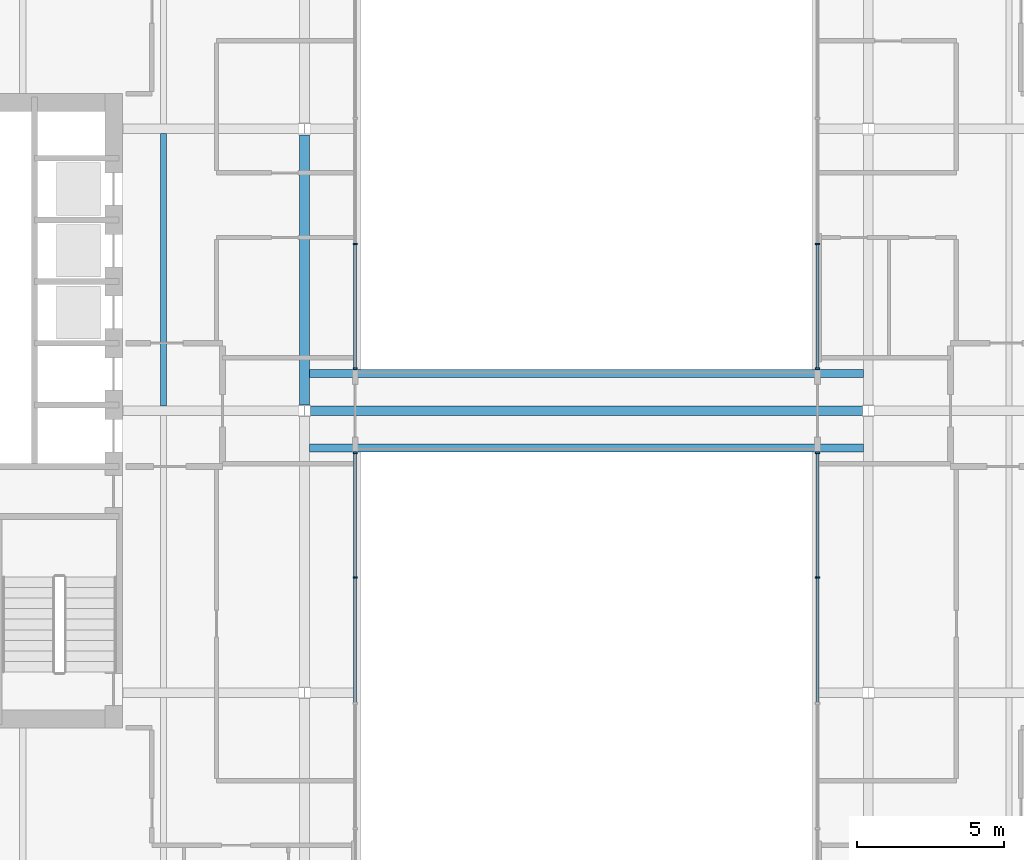
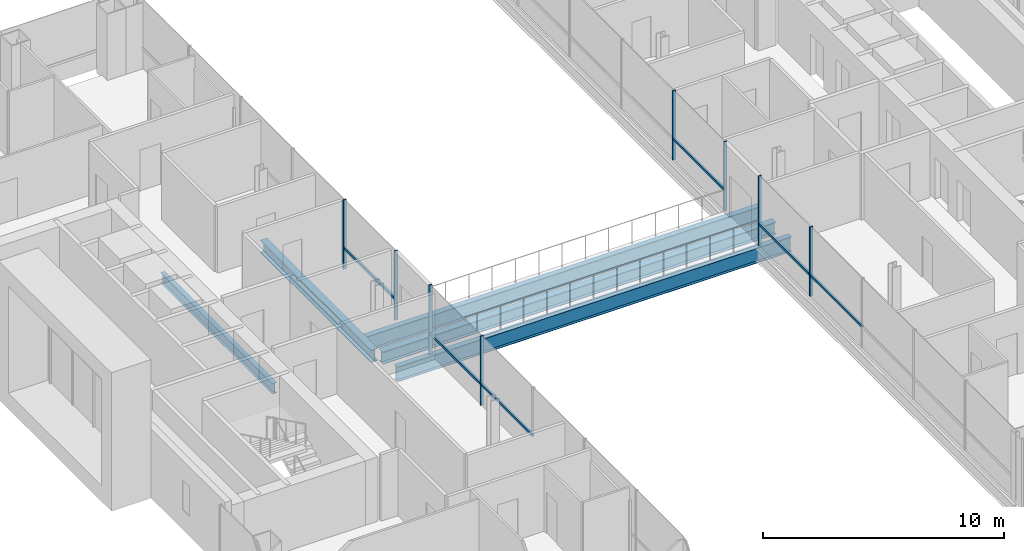
# One storey, part 4 of 20: 14 members, 5 beams, 4 elements without a shape of their own.
"""IFC4 building model written with IfcOpenShell, lengths in metres."""

from ifc_helpers import new_model, si_unit, direction, frame, origin, origin_2d, place, context, subcontext, project, spatial, rectangle, i_section, extrude, material, material_profile, profile_set, type_object, element, aggregate, save


model = new_model("IFC4")

# Units and contexts
model_context = context("Model", 3, precision=1e-05, world=origin(), true_north=direction((0.0, 1.0)))
body_context = subcontext(model_context, "Body", "Model", "MODEL_VIEW")
ifc_project = project(units=[si_unit("LENGTHUNIT", "METRE"), si_unit("AREAUNIT", "SQUARE_METRE"), si_unit("VOLUMEUNIT", "CUBIC_METRE"), si_unit("PLANEANGLEUNIT", "RADIAN"), si_unit("MASSUNIT", "GRAM", prefix="KILO")], contexts=[model_context])

# Site, building, storey
site_placement = place(None, origin())
site = spatial("IfcSite", under=ifc_project, at=site_placement, CompositionType="ELEMENT")
building_placement = place(site_placement, origin())
building = spatial("IfcBuilding", under=site, at=building_placement, Name="Cobrizo Arcos Hotel Tower", CompositionType="ELEMENT")
storey_placement = place(building_placement, frame((0.0, 0.0, 124.0)))
storey = spatial("IfcBuildingStorey", under=building, at=storey_placement, Name="L31", CompositionType="ELEMENT", Elevation=124.0)

# Curtain wall, members
ifc_material_1 = material(Name="Aluminium 6063-T6 anodised bronze", Category="aluminium")
curtain_wall_type = type_object("IfcCurtainWallType", Name="CW-F void screen", PredefinedType="NOTDEFINED", material=ifc_material_1)
curtain_wall_1_placement = place(storey_placement, origin())
curtain_wall_1 = element("IfcCurtainWall", 1, at=curtain_wall_1_placement, inside=storey, type_object=curtain_wall_type, Name="CW-F L31 void screen B", PredefinedType="NOTDEFINED")
ifc_material_profile_1 = material_profile(ifc_material_1, rectangle(XDim=0.14990234375, YDim=0.06005859375, at=origin_2d()), Name="CW-F mullion 150x60")
ifc_profile_set_1 = profile_set([ifc_material_profile_1], Name="Aluminium 6063-T6 anodised bronze")
member_type_1 = type_object("IfcMemberType", Name="CW-F mullion 150x60", PredefinedType="MULLION", material=ifc_profile_set_1)
member_1_placement = place(storey_placement, frame((7.875, -5.679931640625, 0.0), z_axis=(0.0, 0.0, 1.0), x_axis=(1.0, 0.0, 0.0)))
member_1 = element("IfcMember", 2, at=member_1_placement, type_object=member_type_1, Name="CW-F mullion 5", PredefinedType="MULLION", context=body_context, shape_type="SweptSolid", body=[
    extrude(rectangle(XDim=0.14990234375, YDim=0.06005859375, at=origin_2d()), origin(), (0.0, 0.0, 1.0), 3.5),
])
member_2_placement = place(storey_placement, frame((7.875, -1.429931640625, 0.0), z_axis=(0.0, 0.0, 1.0), x_axis=(1.0, 0.0, 0.0)))
member_2 = element("IfcMember", 3, at=member_2_placement, type_object=member_type_1, Name="CW-F mullion 6", PredefinedType="MULLION", context=body_context, shape_type="SweptSolid", body=[
    extrude(rectangle(XDim=0.14990234375, YDim=0.06005859375, at=origin_2d()), origin(), (0.0, 0.0, 1.0), 3.5),
])

curtain_wall_2_placement = place(storey_placement, origin())
curtain_wall_2 = element("IfcCurtainWall", 4, at=curtain_wall_2_placement, inside=storey, type_object=curtain_wall_type, Name="CW-F L31 void screen B", PredefinedType="NOTDEFINED")
member_3_placement = place(storey_placement, frame((7.875, 1.429931640625, 0.0), z_axis=(0.0, 0.0, 1.0), x_axis=(1.0, 0.0, 0.0)))
member_3 = element("IfcMember", 5, at=member_3_placement, type_object=member_type_1, Name="CW-F mullion 1", PredefinedType="MULLION", context=body_context, shape_type="SweptSolid", body=[
    extrude(rectangle(XDim=0.14990234375, YDim=0.06005859375, at=origin_2d()), origin(), (0.0, 0.0, 1.0), 3.5),
])
member_4_placement = place(storey_placement, frame((7.875, 5.679931640625, 0.0), z_axis=(0.0, 0.0, 1.0), x_axis=(1.0, 0.0, 0.0)))
member_4 = element("IfcMember", 6, at=member_4_placement, type_object=member_type_1, Name="CW-F mullion 2", PredefinedType="MULLION", context=body_context, shape_type="SweptSolid", body=[
    extrude(rectangle(XDim=0.14990234375, YDim=0.06005859375, at=origin_2d()), origin(), (0.0, 0.0, 1.0), 3.5),
])

curtain_wall_3_placement = place(storey_placement, origin())
curtain_wall_3 = element("IfcCurtainWall", 7, at=curtain_wall_3_placement, inside=storey, type_object=curtain_wall_type, Name="CW-F L31 void screen B", PredefinedType="NOTDEFINED")
member_5_placement = place(storey_placement, frame((-7.875, 5.679931640625, 0.0), z_axis=(0.0, 0.0, 1.0), x_axis=(-1.0, 0.0, 0.0)))
member_5 = element("IfcMember", 8, at=member_5_placement, type_object=member_type_1, Name="CW-F mullion 5", PredefinedType="MULLION", context=body_context, shape_type="SweptSolid", body=[
    extrude(rectangle(XDim=0.14990234375, YDim=0.06005859375, at=origin_2d()), origin(), (0.0, 0.0, 1.0), 3.5),
])
member_6_placement = place(storey_placement, frame((-7.875, 1.429931640625, 0.0), z_axis=(0.0, 0.0, 1.0), x_axis=(-1.0, 0.0, 0.0)))
member_6 = element("IfcMember", 9, at=member_6_placement, type_object=member_type_1, Name="CW-F mullion 6", PredefinedType="MULLION", context=body_context, shape_type="SweptSolid", body=[
    extrude(rectangle(XDim=0.14990234375, YDim=0.06005859375, at=origin_2d()), origin(), (0.0, 0.0, 1.0), 3.5),
])

curtain_wall_4_placement = place(storey_placement, origin())
curtain_wall_4 = element("IfcCurtainWall", 10, at=curtain_wall_4_placement, inside=storey, type_object=curtain_wall_type, Name="CW-F L31 void screen B", PredefinedType="NOTDEFINED")
member_7_placement = place(storey_placement, frame((-7.875, -1.429931640625, 0.0), z_axis=(0.0, 0.0, 1.0), x_axis=(-1.0, 0.0, 0.0)))
member_7 = element("IfcMember", 11, at=member_7_placement, type_object=member_type_1, Name="CW-F mullion 1", PredefinedType="MULLION", context=body_context, shape_type="SweptSolid", body=[
    extrude(rectangle(XDim=0.14990234375, YDim=0.06005859375, at=origin_2d()), origin(), (0.0, 0.0, 1.0), 3.5),
])
member_8_placement = place(storey_placement, frame((-7.875, -5.679931640625, 0.0), z_axis=(0.0, 0.0, 1.0), x_axis=(-1.0, 0.0, 0.0)))
member_8 = element("IfcMember", 12, at=member_8_placement, type_object=member_type_1, Name="CW-F mullion 2", PredefinedType="MULLION", context=body_context, shape_type="SweptSolid", body=[
    extrude(rectangle(XDim=0.14990234375, YDim=0.06005859375, at=origin_2d()), origin(), (0.0, 0.0, 1.0), 3.5),
])

# Member
ifc_material_profile_2 = material_profile(ifc_material_1, rectangle(XDim=0.10009765625, YDim=0.1201171875, at=origin_2d()), Name="CW-F transom 120x100")
ifc_profile_set_2 = profile_set([ifc_material_profile_2], Name="Aluminium 6063-T6 anodised bronze")
member_type_2 = type_object("IfcMemberType", Name="CW-F transom 120x100", PredefinedType="USERDEFINED", material=ifc_profile_set_2)
member_9_placement = place(storey_placement, frame((7.875, -9.929931640625, 1.050048828125), z_axis=(0.0, 1.0, 0.0), x_axis=(-1.0, 0.0, 0.0)))
member_9 = element("IfcMember", 13, at=member_9_placement, type_object=member_type_2, Name="CW-F transom 2609", ObjectType="TRANSOM", PredefinedType="USERDEFINED", context=body_context, shape_type="SweptSolid", body=[
    extrude(rectangle(XDim=0.10009765625, YDim=0.1201171875, at=origin_2d()), origin(), (0.0, 0.0, 1.0), 4.219970703125),
])

member_10_placement = place(storey_placement, frame((7.875, -5.64990234375, 1.050048828125), z_axis=(0.0, 1.0, 0.0), x_axis=(-1.0, 0.0, 0.0)))
member_10 = element("IfcMember", 14, at=member_10_placement, type_object=member_type_2, Name="CW-F transom 2610", ObjectType="TRANSOM", PredefinedType="USERDEFINED", context=body_context, shape_type="SweptSolid", body=[
    extrude(rectangle(XDim=0.10009765625, YDim=0.1201171875, at=origin_2d()), origin(), (0.0, 0.0, 1.0), 4.18994140625),
])

aggregate(curtain_wall_1, [member_1, member_2, member_9, member_10])

member_11_placement = place(storey_placement, frame((7.875, 1.4599609375, 1.050048828125), z_axis=(0.0, 1.0, 0.0), x_axis=(-1.0, 0.0, 0.0)))
member_11 = element("IfcMember", 15, at=member_11_placement, type_object=member_type_2, Name="CW-F transom 2611", ObjectType="TRANSOM", PredefinedType="USERDEFINED", context=body_context, shape_type="SweptSolid", body=[
    extrude(rectangle(XDim=0.10009765625, YDim=0.1201171875, at=origin_2d()), origin(), (0.0, 0.0, 1.0), 4.18994140625),
])

aggregate(curtain_wall_2, [member_3, member_4, member_11])

member_12_placement = place(storey_placement, frame((-7.875, 5.64990234375, 1.050048828125), z_axis=(0.0, -1.0, 0.0), x_axis=(1.0, 0.0, 0.0)))
member_12 = element("IfcMember", 16, at=member_12_placement, type_object=member_type_2, Name="CW-F transom 2620", ObjectType="TRANSOM", PredefinedType="USERDEFINED", context=body_context, shape_type="SweptSolid", body=[
    extrude(rectangle(XDim=0.10009765625, YDim=0.1201171875, at=origin_2d()), origin(), (0.0, 0.0, 1.0), 4.18994140625),
])

aggregate(curtain_wall_3, [member_5, member_6, member_12])

member_13_placement = place(storey_placement, frame((-7.875, -1.4599609375, 1.050048828125), z_axis=(0.0, -1.0, 0.0), x_axis=(1.0, 0.0, 0.0)))
member_13 = element("IfcMember", 17, at=member_13_placement, type_object=member_type_2, Name="CW-F transom 2621", ObjectType="TRANSOM", PredefinedType="USERDEFINED", context=body_context, shape_type="SweptSolid", body=[
    extrude(rectangle(XDim=0.10009765625, YDim=0.1201171875, at=origin_2d()), origin(), (0.0, 0.0, 1.0), 4.18994140625),
])

member_14_placement = place(storey_placement, frame((-7.875, -5.7099609375, 1.050048828125), z_axis=(0.0, -1.0, 0.0), x_axis=(1.0, 0.0, 0.0)))
member_14 = element("IfcMember", 18, at=member_14_placement, type_object=member_type_2, Name="CW-F transom 2622", ObjectType="TRANSOM", PredefinedType="USERDEFINED", context=body_context, shape_type="SweptSolid", body=[
    extrude(rectangle(XDim=0.10009765625, YDim=0.1201171875, at=origin_2d()), origin(), (0.0, 0.0, 1.0), 4.219970703125),
])

aggregate(curtain_wall_4, [member_7, member_8, member_13, member_14])

# Beams
ifc_material_2 = material(Name="Steel ASTM A992 Grade 50", Category="steel")
ifc_material_profile_3 = material_profile(ifc_material_2, i_section(OverallWidth=0.209228515625, OverallDepth=0.533447265625, WebThickness=0.01025390625, FlangeThickness=0.015625, at=origin_2d()), Name="W21X62")
ifc_profile_set_3 = profile_set([ifc_material_profile_3], Name="Steel ASTM A992 Grade 50")
beam_type_1 = type_object("IfcBeamType", Name="W21X62 joist", PredefinedType="JOIST", material=ifc_profile_set_3)
beam_1_placement = place(storey_placement, frame((-14.39990234375, 0.163818359375, -0.416748046875), z_axis=(0.0, 1.0, 0.0), x_axis=(-1.0, 0.0, 0.0)))
element("IfcBeam", 19, at=beam_1_placement, inside=storey, type_object=beam_type_1, Name="Floor joist J1, L31, no. 005", PredefinedType="JOIST", context=body_context, shape_type="SweptSolid", body=[
    extrude(i_section(OverallWidth=0.209228515625, OverallDepth=0.533447265625, WebThickness=0.01025390625, FlangeThickness=0.015625, at=origin_2d()), origin(), (0.0, 0.0, 1.0), 9.272216796875),
])
ifc_material_profile_4 = material_profile(ifc_material_2, i_section(OverallWidth=0.32763671875, OverallDepth=0.622314453125, WebThickness=0.015380859375, FlangeThickness=0.0244140625, at=origin_2d()), Name="W24X131")
ifc_profile_set_4 = profile_set([ifc_material_profile_4], Name="Steel ASTM A992 Grade 50")
beam_type_2 = type_object("IfcBeamType", Name="W24X131 girder", PredefinedType="BEAM", material=ifc_profile_set_4)
beam_2_placement = place(storey_placement, frame((-9.400634765625, 0.0, -0.461181640625), z_axis=(1.0, 0.0, 0.0), x_axis=(0.0, 1.0, 0.0)))
element("IfcBeam", 20, at=beam_2_placement, inside=storey, type_object=beam_type_2, Name="Floor girder G1, L31, no. 006", PredefinedType="BEAM", context=body_context, shape_type="SweptSolid", body=[
    extrude(i_section(OverallWidth=0.32763671875, OverallDepth=0.622314453125, WebThickness=0.015380859375, FlangeThickness=0.0244140625, at=origin_2d()), origin(), (0.0, 0.0, 1.0), 18.80126953125),
])
beam_3_placement = place(storey_placement, frame((-9.60009765625, 0.199462890625, -0.461181640625), z_axis=(0.0, 1.0, 0.0), x_axis=(-1.0, 0.0, 0.0)))
element("IfcBeam", 21, at=beam_3_placement, inside=storey, type_object=beam_type_2, Name="Floor girder G1, L31, no. 014", PredefinedType="BEAM", context=body_context, shape_type="SweptSolid", body=[
    extrude(i_section(OverallWidth=0.32763671875, OverallDepth=0.622314453125, WebThickness=0.015380859375, FlangeThickness=0.0244140625, at=origin_2d()), origin(), (0.0, 0.0, 1.0), 9.201171875),
])
ifc_material_profile_5 = material_profile(ifc_material_2, i_section(OverallWidth=0.2666015625, OverallDepth=0.7568359375, WebThickness=0.013916015625, FlangeThickness=0.019287109375, at=origin_2d()), Name="W30X108")
ifc_profile_set_5 = profile_set([ifc_material_profile_5], Name="Steel ASTM A992 Grade 50")
beam_type_3 = type_object("IfcBeamType", Name="W30X108 bridge girder", PredefinedType="BEAM", material=ifc_profile_set_5)
for number, where, z_axis, x_axis, name in (
    (22, (-9.43603515625, -1.2666015625, -0.528564453125), (1.0, 0.0, 0.0), (0.0, 1.0, 0.0), "Bridge girder BG1, L31, no. 001"),
    (23, (-9.43603515625, 1.2666015625, -0.528564453125), (1.0, 0.0, 0.0), (0.0, 1.0, 0.0), "Bridge girder BG1, L31, no. 002"),
):
    element("IfcBeam", number, at=place(storey_placement, frame(where, z_axis=z_axis, x_axis=x_axis)), inside=storey, type_object=beam_type_3, Name=name, PredefinedType="BEAM", context=body_context, shape_type="SweptSolid", body=[
        extrude(i_section(OverallWidth=0.2666015625, OverallDepth=0.7568359375, WebThickness=0.013916015625, FlangeThickness=0.019287109375, at=origin_2d()), origin(), (0.0, 0.0, 1.0), 18.8720703125),
    ])

save(model, "model.ifc")
